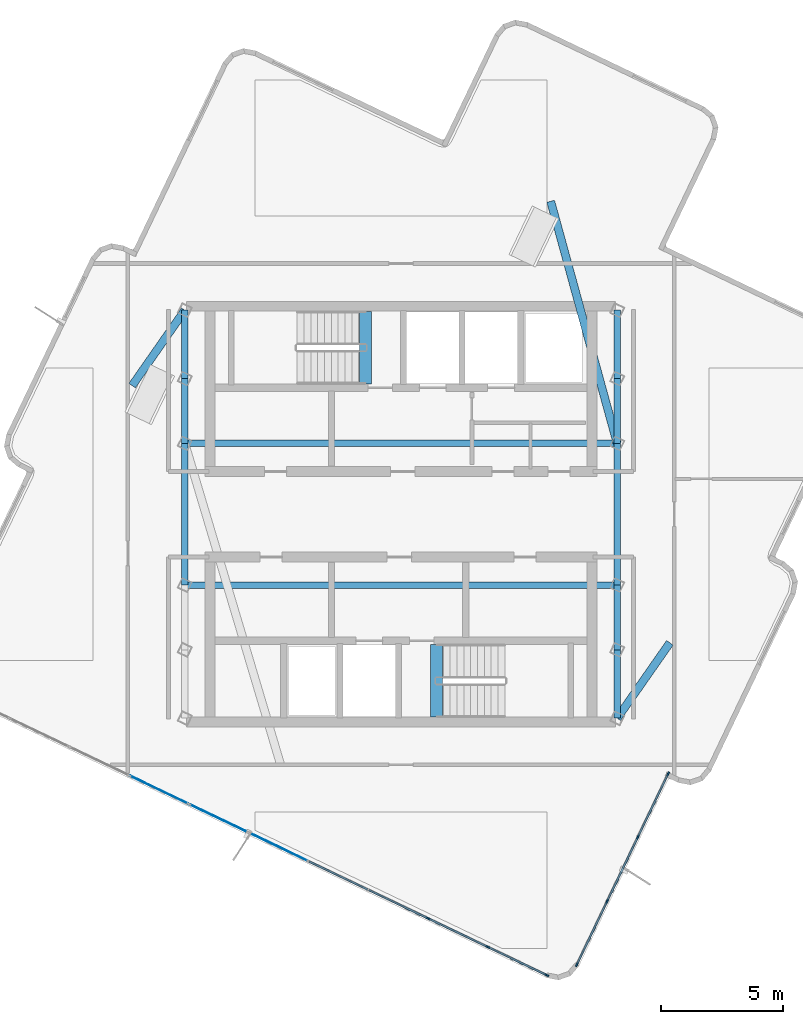
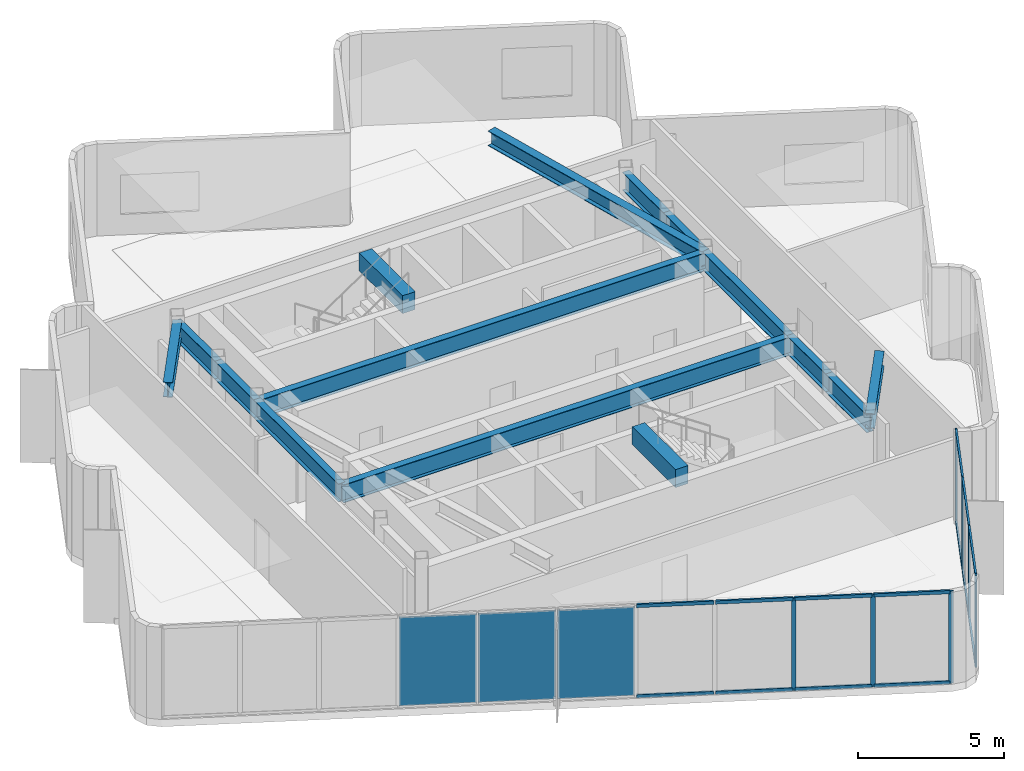
# One storey, part 2 of 8: 21 members, 15 beams, 3 plates, 2 elements without a shape of their own.
"""IFC4 building model written with IfcOpenShell, lengths in metres."""

from ifc_helpers import new_model, si_unit, direction, frame, origin, origin_2d, place, context, subcontext, project, spatial, rectangle, i_section, extrude, material, layer, layer_set, material_profile, profile_set, type_object, element, aggregate, save


model = new_model("IFC4")

# Units and contexts
model_context = context("Model", 3, precision=1e-05, world=origin(), true_north=direction((0.0, 1.0)))
body_context = subcontext(model_context, "Body", "Model", "MODEL_VIEW")
ifc_project = project(units=[si_unit("LENGTHUNIT", "METRE"), si_unit("AREAUNIT", "SQUARE_METRE"), si_unit("VOLUMEUNIT", "CUBIC_METRE"), si_unit("PLANEANGLEUNIT", "RADIAN"), si_unit("MASSUNIT", "GRAM", prefix="KILO")], contexts=[model_context])

# Site, building, storey
site_placement = place(None, origin())
site = spatial("IfcSite", under=ifc_project, at=site_placement, CompositionType="ELEMENT")
building_placement = place(site_placement, origin())
building = spatial("IfcBuilding", under=site, at=building_placement, Name="Solmarez Civic Tower", CompositionType="ELEMENT")
storey_placement = place(building_placement, frame((0.0, 0.0, 293.39990234375)))
storey = spatial("IfcBuildingStorey", under=building, at=storey_placement, Name="L79 Crown", CompositionType="ELEMENT", Elevation=293.39990234375)

# Beams
ifc_material_1 = material(Name="Concrete C50/60", Category="concrete")
ifc_material_profile_1 = material_profile(ifc_material_1, rectangle(XDim=0.5, YDim=0.75, at=origin_2d()), Name="RC500X750")
ifc_profile_set_1 = profile_set([ifc_material_profile_1], Name="Concrete C50/60")
beam_type_1 = type_object("IfcBeamType", Name="BM-PR-RC500X750", PredefinedType="BEAM", material=ifc_profile_set_1)
for number, where, z_axis, x_axis, name in (
    (1, (-1.449951171875, 5.340087890625, 3.773193359375), (0.0, 1.0, 0.0), (-1.0, 0.0, 0.0), "L79 Crown North Stair Threshold Beam"),
    (2, (1.449951171875, -8.300048828125, 3.773193359375), (0.0, 1.0, 0.0), (-1.0, 0.0, 0.0), "L79 Crown South Stair Threshold Beam"),
):
    element("IfcBeam", number, at=place(storey_placement, frame(where, z_axis=z_axis, x_axis=x_axis)), inside=storey, type_object=beam_type_1, Name=name, PredefinedType="BEAM", context=body_context, shape_type="SweptSolid", body=[
        extrude(rectangle(XDim=0.5, YDim=0.75, at=origin_2d()), origin(), (0.0, 0.0, 1.0), 2.9599609375),
    ])
ifc_material_2 = material(Name="Steel S355", Category="steel")
ifc_material_profile_2 = material_profile(ifc_material_2, i_section(OverallWidth=0.327880859375, OverallDepth=0.6220703125, WebThickness=0.015380859375, FlangeThickness=0.0244140625, at=origin_2d()), Name="W24X131")
ifc_profile_set_2 = profile_set([ifc_material_profile_2], Name="Steel S355")
beam_type_2 = type_object("IfcBeamType", Name="BM-PR-W24X131", PredefinedType="BEAM", material=ifc_profile_set_2)
beam_1_placement = place(storey_placement, frame((8.85009765625, 2.89990234375, 3.529052734375), z_axis=(-0.264962131927, 0.964258818287, 0.0), x_axis=(-0.964258818287, -0.264962131927, 0.0)))
element("IfcBeam", 3, at=beam_1_placement, inside=storey, type_object=beam_type_2, Name="L79 Crown Primary Floor Beam BM-L79 Crown-CR-E2", PredefinedType="BEAM", context=body_context, shape_type="SweptSolid", body=[
    extrude(i_section(OverallWidth=0.327880859375, OverallDepth=0.6220703125, WebThickness=0.015380859375, FlangeThickness=0.0244140625, at=origin_2d()), origin(), (0.0, 0.0, 1.0), 10.277587890625),
])
for number, where, z_axis, x_axis, name in (
    (4, (-8.85009765625, 8.35009765625, 3.529052734375), (-0.572691723198, -0.819770815643, 0.0), (0.819770815643, -0.572691723198, 0.0), "L79 Crown Primary Floor Beam BM-L79 Crown-CR-N2"),
    (5, (8.85009765625, -8.35009765625, 3.529052734375), (0.572691723198, 0.819770815643, 0.0), (-0.819770815643, 0.572691723198, 0.0), "L79 Crown Primary Floor Beam BM-L79 Crown-CR-S2"),
):
    element("IfcBeam", number, at=place(storey_placement, frame(where, z_axis=z_axis, x_axis=x_axis)), inside=storey, type_object=beam_type_2, Name=name, PredefinedType="BEAM", context=body_context, shape_type="SweptSolid", body=[
        extrude(i_section(OverallWidth=0.327880859375, OverallDepth=0.6220703125, WebThickness=0.015380859375, FlangeThickness=0.0244140625, at=origin_2d()), origin(), (0.0, 0.0, 1.0), 3.7646484375),
    ])
ifc_material_profile_3 = material_profile(ifc_material_2, i_section(OverallWidth=0.26708984375, OverallDepth=0.761962890625, WebThickness=0.014404296875, FlangeThickness=0.021484375, at=origin_2d()), Name="W30X116")
ifc_profile_set_3 = profile_set([ifc_material_profile_3], Name="Steel S355")
beam_type_3 = type_object("IfcBeamType", Name="BM-PR-W30X116", PredefinedType="BEAM", material=ifc_profile_set_3)
beam_2_placement = place(storey_placement, frame((-8.85009765625, -2.89990234375, 3.458984375), z_axis=(0.0, 1.0, 0.0), x_axis=(-1.0, 0.0, 0.0)))
element("IfcBeam", 6, at=beam_2_placement, inside=storey, type_object=beam_type_3, Name="L79 Crown Primary Floor Beam BM-L79 Crown-HC2-HC3", PredefinedType="BEAM", context=body_context, shape_type="SweptSolid", body=[
    extrude(i_section(OverallWidth=0.26708984375, OverallDepth=0.761962890625, WebThickness=0.014404296875, FlangeThickness=0.021484375, at=origin_2d()), origin(), (0.0, 0.0, 1.0), 5.7998046875),
])
beam_3_placement = place(storey_placement, frame((-8.85009765625, 2.89990234375, 3.458984375), z_axis=(0.0, 1.0, 0.0), x_axis=(-1.0, 0.0, 0.0)))
element("IfcBeam", 7, at=beam_3_placement, inside=storey, type_object=beam_type_3, Name="L79 Crown Primary Floor Beam BM-L79 Crown-HC3-HC4", PredefinedType="BEAM", context=body_context, shape_type="SweptSolid", body=[
    extrude(i_section(OverallWidth=0.26708984375, OverallDepth=0.761962890625, WebThickness=0.014404296875, FlangeThickness=0.021484375, at=origin_2d()), origin(), (0.0, 0.0, 1.0), 2.650146484375),
])
for number, where, z_axis, x_axis, name in (
    (8, (-8.85009765625, 5.550048828125, 3.458984375), (0.0, 1.0, 0.0), (-1.0, 0.0, 0.0), "L79 Crown Primary Floor Beam BM-L79 Crown-HC4-HC9"),
    (9, (8.85009765625, -8.35009765625, 3.458984375), (0.0, 1.0, 0.0), (-1.0, 0.0, 0.0), "L79 Crown Primary Floor Beam BM-L79 Crown-HC10-HC5"),
):
    element("IfcBeam", number, at=place(storey_placement, frame(where, z_axis=z_axis, x_axis=x_axis)), inside=storey, type_object=beam_type_3, Name=name, PredefinedType="BEAM", context=body_context, shape_type="SweptSolid", body=[
        extrude(i_section(OverallWidth=0.26708984375, OverallDepth=0.761962890625, WebThickness=0.014404296875, FlangeThickness=0.021484375, at=origin_2d()), origin(), (0.0, 0.0, 1.0), 2.800048828125),
    ])
beam_4_placement = place(storey_placement, frame((8.85009765625, -5.550048828125, 3.458984375), z_axis=(0.0, 1.0, 0.0), x_axis=(-1.0, 0.0, 0.0)))
element("IfcBeam", 10, at=beam_4_placement, inside=storey, type_object=beam_type_3, Name="L79 Crown Primary Floor Beam BM-L79 Crown-HC5-HC6", PredefinedType="BEAM", context=body_context, shape_type="SweptSolid", body=[
    extrude(i_section(OverallWidth=0.26708984375, OverallDepth=0.761962890625, WebThickness=0.014404296875, FlangeThickness=0.021484375, at=origin_2d()), origin(), (0.0, 0.0, 1.0), 2.650146484375),
])
beam_5_placement = place(storey_placement, frame((8.85009765625, -2.89990234375, 3.458984375), z_axis=(0.0, 1.0, 0.0), x_axis=(-1.0, 0.0, 0.0)))
element("IfcBeam", 11, at=beam_5_placement, inside=storey, type_object=beam_type_3, Name="L79 Crown Primary Floor Beam BM-L79 Crown-HC6-HC7", PredefinedType="BEAM", context=body_context, shape_type="SweptSolid", body=[
    extrude(i_section(OverallWidth=0.26708984375, OverallDepth=0.761962890625, WebThickness=0.014404296875, FlangeThickness=0.021484375, at=origin_2d()), origin(), (0.0, 0.0, 1.0), 5.7998046875),
])
beam_6_placement = place(storey_placement, frame((8.85009765625, 2.89990234375, 3.458984375), z_axis=(0.0, 1.0, 0.0), x_axis=(-1.0, 0.0, 0.0)))
element("IfcBeam", 12, at=beam_6_placement, inside=storey, type_object=beam_type_3, Name="L79 Crown Primary Floor Beam BM-L79 Crown-HC7-HC8", PredefinedType="BEAM", context=body_context, shape_type="SweptSolid", body=[
    extrude(i_section(OverallWidth=0.26708984375, OverallDepth=0.761962890625, WebThickness=0.014404296875, FlangeThickness=0.021484375, at=origin_2d()), origin(), (0.0, 0.0, 1.0), 2.650146484375),
])
beam_7_placement = place(storey_placement, frame((8.85009765625, 5.550048828125, 3.458984375), z_axis=(0.0, 1.0, 0.0), x_axis=(-1.0, 0.0, 0.0)))
element("IfcBeam", 13, at=beam_7_placement, inside=storey, type_object=beam_type_3, Name="L79 Crown Primary Floor Beam BM-L79 Crown-HC8-HC11", PredefinedType="BEAM", context=body_context, shape_type="SweptSolid", body=[
    extrude(i_section(OverallWidth=0.26708984375, OverallDepth=0.761962890625, WebThickness=0.014404296875, FlangeThickness=0.021484375, at=origin_2d()), origin(), (0.0, 0.0, 1.0), 2.800048828125),
])
for number, where, z_axis, x_axis, name in (
    (14, (-8.85009765625, -2.89990234375, 3.458984375), (1.0, 0.0, 0.0), (0.0, 1.0, 0.0), "L79 Crown Primary Floor Beam BM-L79 Crown-HC2-HC6"),
    (15, (-8.85009765625, 2.89990234375, 3.458984375), (1.0, 0.0, 0.0), (0.0, 1.0, 0.0), "L79 Crown Primary Floor Beam BM-L79 Crown-HC3-HC7"),
):
    element("IfcBeam", number, at=place(storey_placement, frame(where, z_axis=z_axis, x_axis=x_axis)), inside=storey, type_object=beam_type_3, Name=name, PredefinedType="BEAM", context=body_context, shape_type="SweptSolid", body=[
        extrude(i_section(OverallWidth=0.26708984375, OverallDepth=0.761962890625, WebThickness=0.014404296875, FlangeThickness=0.021484375, at=origin_2d()), origin(), (0.0, 0.0, 1.0), 17.7001953125),
    ])

# Curtain wall, members
ifc_material_3 = material(Name="Bronze Anodised Aluminium EN AW-6063 T6", Category="aluminium")
ifc_layer_1 = layer(ifc_material_3, 0.195068359375)
ifc_layer_set_1 = layer_set([ifc_layer_1], Name="Bronze Anodised Aluminium EN AW-6063 T6")
curtain_wall_type = type_object("IfcCurtainWallType", Name="CW-SYS-7", PredefinedType="NOTDEFINED", material=ifc_layer_set_1)
curtain_wall_1_placement = place(storey_placement, origin())
curtain_wall_1 = element("IfcCurtainWall", 16, at=curtain_wall_1_placement, inside=storey, type_object=curtain_wall_type, Name="L79 Crown Stick-Built Curtain Wall 1", PredefinedType="NOTDEFINED")
ifc_material_profile_4 = material_profile(ifc_material_3, rectangle(XDim=0.06494140625, YDim=0.1650390625, at=origin_2d()), Name="CWM-65X165")
ifc_profile_set_4 = profile_set([ifc_material_profile_4], Name="Bronze Anodised Aluminium EN AW-6063 T6")
member_type_1 = type_object("IfcMemberType", Name="CWM-TYPE-3", PredefinedType="MULLION", material=ifc_profile_set_4)
member_1_placement = place(storey_placement, frame((10.93603515625, -10.626220703125, 0.0), z_axis=(0.0, 0.0, 1.0), x_axis=(0.902105133351, -0.431516312997, 0.0)))
member_1 = element("IfcMember", 17, at=member_1_placement, type_object=member_type_1, Name="CWS7 mullion 1", PredefinedType="MULLION", context=body_context, shape_type="SweptSolid", body=[
    extrude(rectangle(XDim=0.06494140625, YDim=0.1650390625, at=origin_2d()), origin(), (0.0, 0.0, 1.0), 3.840087890625),
])
member_2_placement = place(storey_placement, frame((9.694580078125, -13.221435546875, 0.0), z_axis=(0.0, 0.0, 1.0), x_axis=(0.902105133351, -0.431516312997, 0.0)))
member_2 = element("IfcMember", 18, at=member_2_placement, type_object=member_type_1, Name="CWS7 mullion 2", PredefinedType="MULLION", context=body_context, shape_type="SweptSolid", body=[
    extrude(rectangle(XDim=0.06494140625, YDim=0.1650390625, at=origin_2d()), origin(), (0.0, 0.0, 1.0), 3.840087890625),
])
member_3_placement = place(storey_placement, frame((8.439453125, -15.845703125, 0.0), z_axis=(0.0, 0.0, 1.0), x_axis=(0.902105133351, -0.431516312997, 0.0)))
member_3 = element("IfcMember", 19, at=member_3_placement, type_object=member_type_1, Name="CWS7 mullion 3", PredefinedType="MULLION", context=body_context, shape_type="SweptSolid", body=[
    extrude(rectangle(XDim=0.06494140625, YDim=0.1650390625, at=origin_2d()), origin(), (0.0, 0.0, 1.0), 3.840087890625),
])
member_4_placement = place(storey_placement, frame((7.197998046875, -18.440673828125, 0.0), z_axis=(0.0, 0.0, 1.0), x_axis=(0.902105133351, -0.431516312997, 0.0)))
member_4 = element("IfcMember", 20, at=member_4_placement, type_object=member_type_1, Name="CWS7 mullion 4", PredefinedType="MULLION", context=body_context, shape_type="SweptSolid", body=[
    extrude(rectangle(XDim=0.06494140625, YDim=0.1650390625, at=origin_2d()), origin(), (0.0, 0.0, 1.0), 3.840087890625),
])

curtain_wall_2_placement = place(storey_placement, origin())
curtain_wall_2 = element("IfcCurtainWall", 21, at=curtain_wall_2_placement, inside=storey, type_object=curtain_wall_type, Name="L79 Crown Stick-Built Curtain Wall 2", PredefinedType="NOTDEFINED")
member_5_placement = place(storey_placement, frame((5.970703125, -18.873046875, 0.0), z_axis=(0.0, 0.0, 1.0), x_axis=(-0.431454192784, -0.902134845535, 0.0)))
member_5 = element("IfcMember", 22, at=member_5_placement, type_object=member_type_1, Name="CWS7 mullion 1", PredefinedType="MULLION", context=body_context, shape_type="SweptSolid", body=[
    extrude(rectangle(XDim=0.06494140625, YDim=0.1650390625, at=origin_2d()), origin(), (0.0, 0.0, 1.0), 3.840087890625),
])
member_6_placement = place(storey_placement, frame((3.552978515625, -17.716796875, 0.0), z_axis=(0.0, 0.0, 1.0), x_axis=(-0.431454192784, -0.902134845535, 0.0)))
member_6 = element("IfcMember", 23, at=member_6_placement, type_object=member_type_1, Name="CWS7 mullion 2", PredefinedType="MULLION", context=body_context, shape_type="SweptSolid", body=[
    extrude(rectangle(XDim=0.06494140625, YDim=0.1650390625, at=origin_2d()), origin(), (0.0, 0.0, 1.0), 3.840087890625),
])
member_7_placement = place(storey_placement, frame((1.10595703125, -16.54638671875, 0.0), z_axis=(0.0, 0.0, 1.0), x_axis=(-0.431454192784, -0.902134845535, 0.0)))
member_7 = element("IfcMember", 24, at=member_7_placement, type_object=member_type_1, Name="CWS7 mullion 3", PredefinedType="MULLION", context=body_context, shape_type="SweptSolid", body=[
    extrude(rectangle(XDim=0.06494140625, YDim=0.1650390625, at=origin_2d()), origin(), (0.0, 0.0, 1.0), 3.840087890625),
])

# Member
ifc_material_profile_5 = material_profile(ifc_material_3, rectangle(XDim=0.070068359375, YDim=0.139892578125, at=origin_2d()), Name="CWT-70X140")
ifc_profile_set_5 = profile_set([ifc_material_profile_5], Name="Bronze Anodised Aluminium EN AW-6063 T6")
member_type_2 = type_object("IfcMemberType", Name="CWT-TYPE-1", PredefinedType="USERDEFINED", material=ifc_profile_set_5)
member_8_placement = place(storey_placement, frame((10.921875, -10.655517578125, 0.03515625), z_axis=(-0.431480077955, -0.90212246526, 0.0), x_axis=(0.90212246526, -0.431480077955, 0.0)))
member_8 = element("IfcMember", 25, at=member_8_placement, type_object=member_type_2, Name="CWS7 transom 1.1", ObjectType="TRANSOM", PredefinedType="USERDEFINED", context=body_context, shape_type="SweptSolid", body=[
    extrude(rectangle(XDim=0.070068359375, YDim=0.139892578125, at=origin_2d()), origin(), (0.0, 0.0, 1.0), 2.8115234375),
])

member_9_placement = place(storey_placement, frame((10.921875, -10.655517578125, 3.80517578125), z_axis=(-0.431480077955, -0.90212246526, 0.0), x_axis=(0.90212246526, -0.431480077955, 0.0)))
member_9 = element("IfcMember", 26, at=member_9_placement, type_object=member_type_2, Name="CWS7 transom 1.2", ObjectType="TRANSOM", PredefinedType="USERDEFINED", context=body_context, shape_type="SweptSolid", body=[
    extrude(rectangle(XDim=0.070068359375, YDim=0.139892578125, at=origin_2d()), origin(), (0.0, 0.0, 1.0), 2.8115234375),
])

member_10_placement = place(storey_placement, frame((9.6806640625, -13.250732421875, 0.03515625), z_axis=(-0.431522319977, -0.902102259925, 0.0), x_axis=(0.902102259925, -0.431522319977, 0.0)))
member_10 = element("IfcMember", 27, at=member_10_placement, type_object=member_type_2, Name="CWS7 transom 2.1", ObjectType="TRANSOM", PredefinedType="USERDEFINED", context=body_context, shape_type="SweptSolid", body=[
    extrude(rectangle(XDim=0.070068359375, YDim=0.139892578125, at=origin_2d()), origin(), (0.0, 0.0, 1.0), 2.843994140625),
])

member_11_placement = place(storey_placement, frame((9.6806640625, -13.250732421875, 3.80517578125), z_axis=(-0.431522319977, -0.902102259925, 0.0), x_axis=(0.902102259925, -0.431522319977, 0.0)))
member_11 = element("IfcMember", 28, at=member_11_placement, type_object=member_type_2, Name="CWS7 transom 2.2", ObjectType="TRANSOM", PredefinedType="USERDEFINED", context=body_context, shape_type="SweptSolid", body=[
    extrude(rectangle(XDim=0.070068359375, YDim=0.139892578125, at=origin_2d()), origin(), (0.0, 0.0, 1.0), 2.843994140625),
])

member_12_placement = place(storey_placement, frame((8.42529296875, -15.875, 0.03515625), z_axis=(-0.431480077955, -0.90212246526, 0.0), x_axis=(0.90212246526, -0.431480077955, 0.0)))
member_12 = element("IfcMember", 29, at=member_12_placement, type_object=member_type_2, Name="CWS7 transom 3.1", ObjectType="TRANSOM", PredefinedType="USERDEFINED", context=body_context, shape_type="SweptSolid", body=[
    extrude(rectangle(XDim=0.070068359375, YDim=0.139892578125, at=origin_2d()), origin(), (0.0, 0.0, 1.0), 2.8115234375),
])

member_13_placement = place(storey_placement, frame((8.42529296875, -15.875, 3.80517578125), z_axis=(-0.431480077955, -0.90212246526, 0.0), x_axis=(0.90212246526, -0.431480077955, 0.0)))
member_13 = element("IfcMember", 30, at=member_13_placement, type_object=member_type_2, Name="CWS7 transom 3.2", ObjectType="TRANSOM", PredefinedType="USERDEFINED", context=body_context, shape_type="SweptSolid", body=[
    extrude(rectangle(XDim=0.070068359375, YDim=0.139892578125, at=origin_2d()), origin(), (0.0, 0.0, 1.0), 2.8115234375),
])

aggregate(curtain_wall_1, [member_1, member_2, member_3, member_4, member_8, member_9, member_10, member_11, member_12, member_13])

member_14_placement = place(storey_placement, frame((5.94140625, -18.85888671875, 0.03515625), z_axis=(-0.902150020632, 0.431422461486, 0.0), x_axis=(-0.431422461486, -0.902150020632, 0.0)))
member_14 = element("IfcMember", 31, at=member_14_placement, type_object=member_type_2, Name="CWS7 transom 1.1", ObjectType="TRANSOM", PredefinedType="USERDEFINED", context=body_context, shape_type="SweptSolid", body=[
    extrude(rectangle(XDim=0.070068359375, YDim=0.139892578125, at=origin_2d()), origin(), (0.0, 0.0, 1.0), 2.614990234375),
])

member_15_placement = place(storey_placement, frame((5.94140625, -18.85888671875, 3.80517578125), z_axis=(-0.902150020632, 0.431422461486, 0.0), x_axis=(-0.431422461486, -0.902150020632, 0.0)))
member_15 = element("IfcMember", 32, at=member_15_placement, type_object=member_type_2, Name="CWS7 transom 1.2", ObjectType="TRANSOM", PredefinedType="USERDEFINED", context=body_context, shape_type="SweptSolid", body=[
    extrude(rectangle(XDim=0.070068359375, YDim=0.139892578125, at=origin_2d()), origin(), (0.0, 0.0, 1.0), 2.614990234375),
])

member_16_placement = place(storey_placement, frame((3.523681640625, -17.70263671875, 0.03515625), z_axis=(-0.902127979374, 0.431468549064, 0.0), x_axis=(-0.431468549064, -0.902127979374, 0.0)))
member_16 = element("IfcMember", 33, at=member_16_placement, type_object=member_type_2, Name="CWS7 transom 2.1", ObjectType="TRANSOM", PredefinedType="USERDEFINED", context=body_context, shape_type="SweptSolid", body=[
    extrude(rectangle(XDim=0.070068359375, YDim=0.139892578125, at=origin_2d()), origin(), (0.0, 0.0, 1.0), 2.6474609375),
])

member_17_placement = place(storey_placement, frame((3.523681640625, -17.70263671875, 3.80517578125), z_axis=(-0.902127979374, 0.431468549064, 0.0), x_axis=(-0.431468549064, -0.902127979374, 0.0)))
member_17 = element("IfcMember", 34, at=member_17_placement, type_object=member_type_2, Name="CWS7 transom 2.2", ObjectType="TRANSOM", PredefinedType="USERDEFINED", context=body_context, shape_type="SweptSolid", body=[
    extrude(rectangle(XDim=0.070068359375, YDim=0.139892578125, at=origin_2d()), origin(), (0.0, 0.0, 1.0), 2.6474609375),
])

member_18_placement = place(storey_placement, frame((1.07666015625, -16.532470703125, 0.03515625), z_axis=(-0.902127979374, 0.431468549064, 0.0), x_axis=(-0.431468549064, -0.902127979374, 0.0)))
member_18 = element("IfcMember", 35, at=member_18_placement, type_object=member_type_2, Name="CWS7 transom 3.1", ObjectType="TRANSOM", PredefinedType="USERDEFINED", context=body_context, shape_type="SweptSolid", body=[
    extrude(rectangle(XDim=0.070068359375, YDim=0.139892578125, at=origin_2d()), origin(), (0.0, 0.0, 1.0), 2.6474609375),
])

member_19_placement = place(storey_placement, frame((1.07666015625, -16.532470703125, 3.80517578125), z_axis=(-0.902127979374, 0.431468549064, 0.0), x_axis=(-0.431468549064, -0.902127979374, 0.0)))
member_19 = element("IfcMember", 36, at=member_19_placement, type_object=member_type_2, Name="CWS7 transom 3.2", ObjectType="TRANSOM", PredefinedType="USERDEFINED", context=body_context, shape_type="SweptSolid", body=[
    extrude(rectangle(XDim=0.070068359375, YDim=0.139892578125, at=origin_2d()), origin(), (0.0, 0.0, 1.0), 2.6474609375),
])

member_20_placement = place(storey_placement, frame((-1.370361328125, -15.362060546875, 0.03515625), z_axis=(-0.902127979374, 0.431468549064, 0.0), x_axis=(-0.431468549064, -0.902127979374, 0.0)))
member_20 = element("IfcMember", 37, at=member_20_placement, type_object=member_type_2, Name="CWS7 transom 4.1", ObjectType="TRANSOM", PredefinedType="USERDEFINED", context=body_context, shape_type="SweptSolid", body=[
    extrude(rectangle(XDim=0.070068359375, YDim=0.139892578125, at=origin_2d()), origin(), (0.0, 0.0, 1.0), 2.6474609375),
])

member_21_placement = place(storey_placement, frame((-1.370361328125, -15.362060546875, 3.80517578125), z_axis=(-0.902127979374, 0.431468549064, 0.0), x_axis=(-0.431468549064, -0.902127979374, 0.0)))
member_21 = element("IfcMember", 38, at=member_21_placement, type_object=member_type_2, Name="CWS7 transom 4.2", ObjectType="TRANSOM", PredefinedType="USERDEFINED", context=body_context, shape_type="SweptSolid", body=[
    extrude(rectangle(XDim=0.070068359375, YDim=0.139892578125, at=origin_2d()), origin(), (0.0, 0.0, 1.0), 2.6474609375),
])

# Plate
ifc_material_4 = material(Name="Solar Control Low-E Laminated Vision Glass", Category="glass")
ifc_layer_2 = layer(ifc_material_4, 0.035888671875)
ifc_layer_set_2 = layer_set([ifc_layer_2], Name="Solar Control Low-E Laminated Vision Glass")
plate_type = type_object("IfcPlateType", Name="CWP-GLAZ-36", PredefinedType="CURTAIN_PANEL", material=ifc_layer_set_2)
plate_1_placement = place(storey_placement, frame((-5.011474609375, -13.62060546875, 0.0703125), z_axis=(0.0, 0.0, 1.0), x_axis=(-0.902134845535, 0.431454192784, 0.0)))
plate_1 = element("IfcPlate", 39, at=plate_1_placement, type_object=plate_type, Name="CWS7 panel 5.1", PredefinedType="CURTAIN_PANEL", context=body_context, shape_type="SweptSolid", body=[
    extrude(rectangle(XDim=2.6474609375, YDim=0.035888671875, at=origin_2d()), origin(), (0.0, 0.0, 1.0), 3.699951171875),
])

plate_2_placement = place(storey_placement, frame((-7.45849609375, -12.450439453125, 0.0703125), z_axis=(0.0, 0.0, 1.0), x_axis=(-0.902134845535, 0.431454192784, 0.0)))
plate_2 = element("IfcPlate", 40, at=plate_2_placement, type_object=plate_type, Name="CWS7 panel 6.1", PredefinedType="CURTAIN_PANEL", context=body_context, shape_type="SweptSolid", body=[
    extrude(rectangle(XDim=2.6474609375, YDim=0.035888671875, at=origin_2d()), origin(), (0.0, 0.0, 1.0), 3.699951171875),
])

plate_3_placement = place(storey_placement, frame((-9.905517578125, -11.280029296875, 0.0703125), z_axis=(0.0, 0.0, 1.0), x_axis=(-0.902134845535, 0.431454192784, 0.0)))
plate_3 = element("IfcPlate", 41, at=plate_3_placement, type_object=plate_type, Name="CWS7 panel 7.1", PredefinedType="CURTAIN_PANEL", context=body_context, shape_type="SweptSolid", body=[
    extrude(rectangle(XDim=2.6474609375, YDim=0.035888671875, at=origin_2d()), origin(), (0.0, 0.0, 1.0), 3.699951171875),
])

aggregate(curtain_wall_2, [member_5, member_6, member_7, member_14, member_15, member_16, member_17, member_18, member_19, member_20, member_21, plate_1, plate_2, plate_3])

save(model, "model.ifc")
